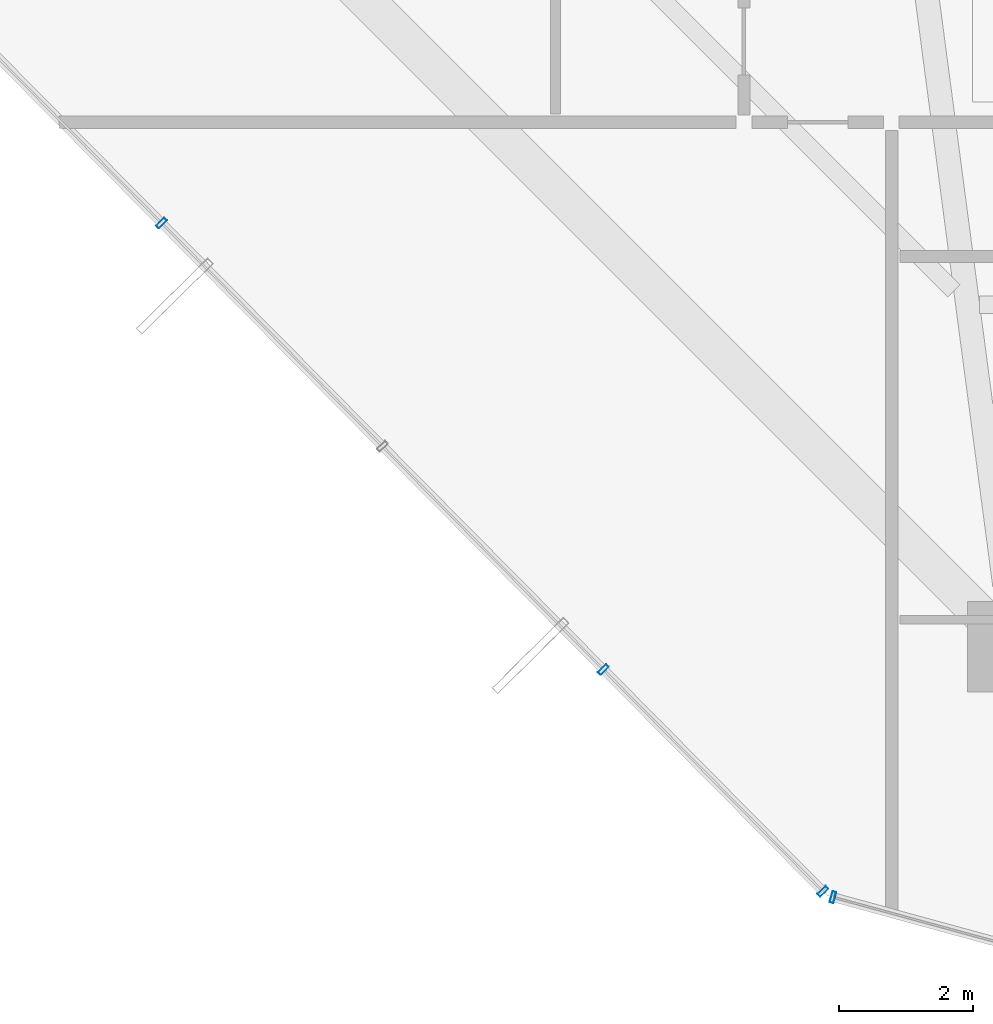
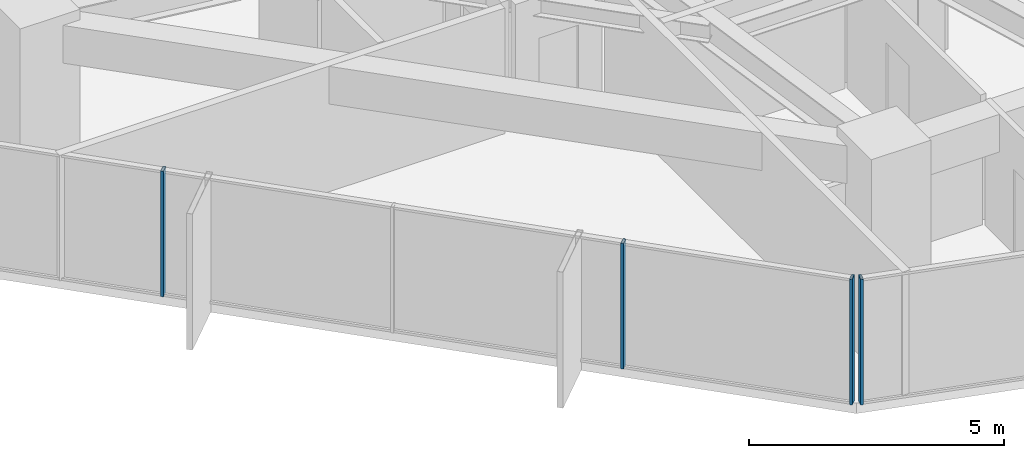
# One storey, part 4 of 39: 4 members, 2 elements without a shape of their own.
"""IFC4 building model written with IfcOpenShell, lengths in metres."""

from ifc_helpers import new_model, si_unit, direction, frame, origin, origin_2d, place, context, subcontext, project, spatial, hollow_rectangle, extrude, source, transform, mapped, material, layer, layer_set, material_profile, profile_set, type_object, element, aggregate, save


model = new_model("IFC4")

# Units and contexts
model_context = context("Model", 3, precision=1e-05, world=origin(), true_north=direction((0.0, 1.0)))
body_context = subcontext(model_context, "Body", "Model", "MODEL_VIEW")
ifc_project = project(units=[si_unit("LENGTHUNIT", "METRE"), si_unit("AREAUNIT", "SQUARE_METRE"), si_unit("VOLUMEUNIT", "CUBIC_METRE"), si_unit("PLANEANGLEUNIT", "RADIAN"), si_unit("MASSUNIT", "GRAM", prefix="KILO")], contexts=[model_context])

# Site, building, storey
site_placement = place(None, origin())
site = spatial("IfcSite", under=ifc_project, at=site_placement, CompositionType="ELEMENT")
building_placement = place(site_placement, origin())
building = spatial("IfcBuilding", under=site, at=building_placement, Name="Veraguas Prism Commons", CompositionType="ELEMENT")
storey_placement = place(building_placement, frame((0.0, 0.0, 73.85009765625)))
storey = spatial("IfcBuildingStorey", under=building, at=storey_placement, Name="L20", CompositionType="ELEMENT", Elevation=73.85009765625)

# Curtain wall, members
ifc_material = material(Name="Anodised aluminium EN AW-6063 T6", Category="aluminium")
ifc_layer = layer(ifc_material, 0.169921875, Name="Unitised Flush Curtain Wall Zone 1", Category="aluminium")
ifc_layer_set = layer_set([ifc_layer], Name="Anodised aluminium EN AW-6063 T6")
curtain_wall_type = type_object("IfcCurtainWallType", Name="Unitised Flush Curtain Wall Zone 1", PredefinedType="NOTDEFINED", material=ifc_layer_set)
curtain_wall_1_placement = place(storey_placement, origin())
curtain_wall_1 = element("IfcCurtainWall", 1, at=curtain_wall_1_placement, inside=storey, type_object=curtain_wall_type, Name="Tower Facade Curtain Wall L20-F4", PredefinedType="NOTDEFINED")
ifc_material_profile = material_profile(ifc_material, hollow_rectangle(XDim=0.06005859375, YDim=0.169921875, WallThickness=0.00390625, at=origin_2d()), Name="AL60X170X4")
ifc_profile_set = profile_set([ifc_material_profile], Name="Anodised aluminium EN AW-6063 T6")
member_type = type_object("IfcMemberType", Name="Curtain Wall Mullion Lower AL 60x170x4", PredefinedType="MULLION", material=ifc_profile_set)
shared_shape = source(origin(), body_context, "Body", "SweptSolid", [
    extrude(hollow_rectangle(XDim=0.06005859375, YDim=0.169921875, WallThickness=0.00390625, at=origin_2d()), origin(), (0.0, 0.0, 1.0), 3.0),
])
member_1_placement = place(storey_placement, frame((5.940673828125, 12.700439453125, 0.0), z_axis=(0.0, 0.0, 1.0), x_axis=(0.70339346223, -0.710800701527, 0.0)))
member_1 = element("IfcMember", 2, at=member_1_placement, type_object=member_type, Name="CW-Z1 Mullion 2", PredefinedType="MULLION", context=body_context, shape_type="MappedRepresentation", body=[
    mapped(shared_shape, transform((0.0, 0.0, 0.0), scale=1.0)),
])
member_2_placement = place(storey_placement, frame((12.511962890625, 6.06005859375, 0.0), z_axis=(0.0, 0.0, 1.0), x_axis=(0.70339346223, -0.710800701527, 0.0)))
member_2 = element("IfcMember", 3, at=member_2_placement, type_object=member_type, Name="CW-Z1 Mullion 4", PredefinedType="MULLION", context=body_context, shape_type="MappedRepresentation", body=[
    mapped(shared_shape, transform((0.0, 0.0, 0.0), scale=1.0)),
])
member_3_placement = place(storey_placement, frame((15.7763671875, 2.76123046875, 0.0), z_axis=(0.0, 0.0, 1.0), x_axis=(0.70339346223, -0.710800701527, 0.0)))
member_3 = element("IfcMember", 4, at=member_3_placement, type_object=member_type, Name="CW-Z1 Mullion 5", PredefinedType="MULLION", context=body_context, shape_type="MappedRepresentation", body=[
    mapped(shared_shape, transform((0.0, 0.0, 0.0), scale=1.0)),
])
aggregate(curtain_wall_1, [member_1, member_2, member_3])

# Curtain wall, member
curtain_wall_2_placement = place(storey_placement, origin())
curtain_wall_2 = element("IfcCurtainWall", 5, at=curtain_wall_2_placement, inside=storey, type_object=curtain_wall_type, Name="Chamfer Curtain Wall L20-C5", PredefinedType="NOTDEFINED")
member_4_placement = place(storey_placement, frame((15.926513671875, 2.673583984375, 0.0), z_axis=(0.0, 0.0, 1.0), x_axis=(0.964554194568, -0.263884834238, 0.0)))
member_4 = element("IfcMember", 6, at=member_4_placement, type_object=member_type, Name="CW-Z1 Mullion 1", PredefinedType="MULLION", context=body_context, shape_type="MappedRepresentation", body=[
    mapped(shared_shape, transform((0.0, 0.0, 0.0), scale=1.0)),
])
aggregate(curtain_wall_2, [member_4])

save(model, "model.ifc")
